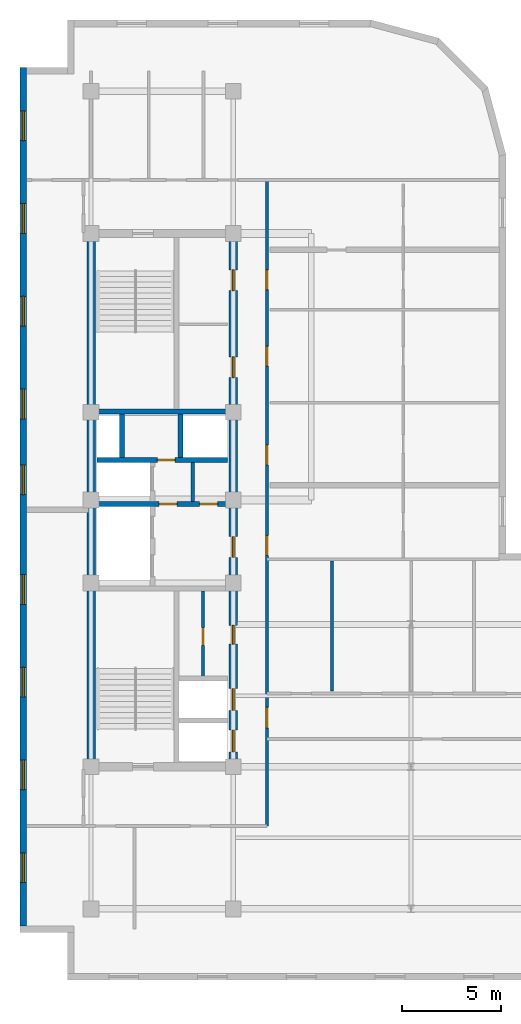
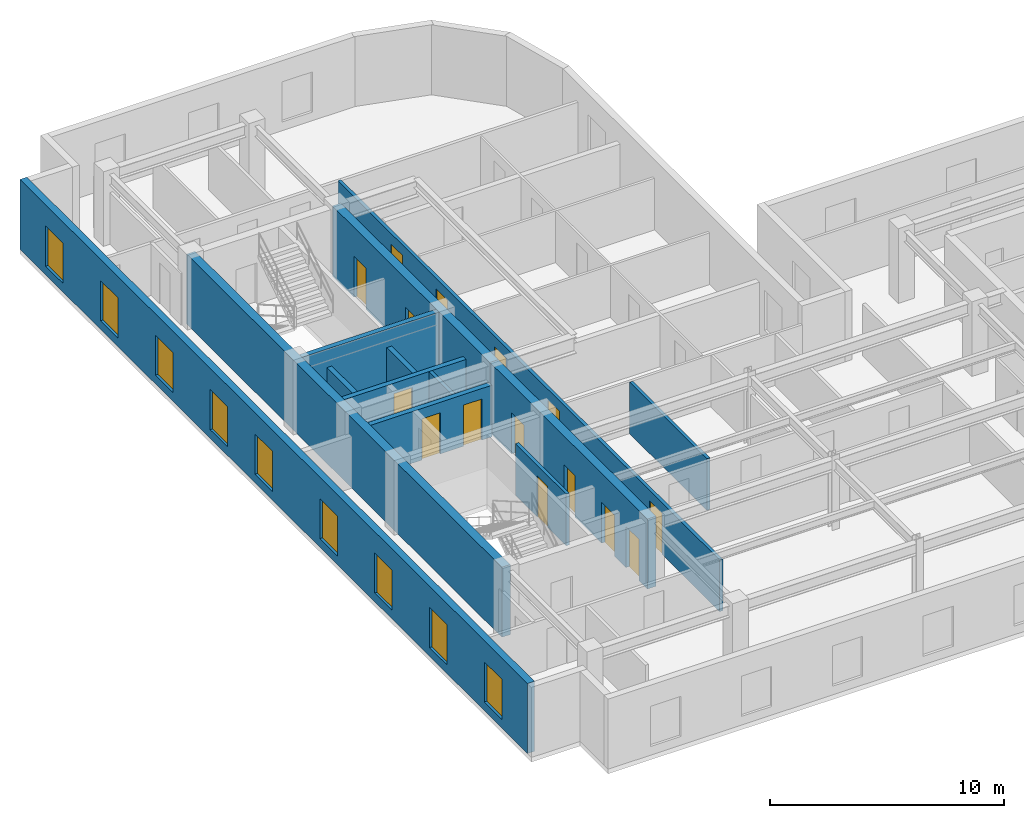
# One storey, part 4 of 10: 15 doors, 13 walls, 9 windows, 24 openings.
"""IFC4 building model written with IfcOpenShell, lengths in metres."""

from ifc_helpers import new_model, entity, si_unit, converted_unit, direction, frame, origin_with_axes, origin_2d_with_axis, place, context, subcontext, project, spatial, polyline, rectangle, outline, extrude, material, layer, layer_set, type_object, element, fill, save


model = new_model("IFC4")

# Units and contexts
model_context = context("Model", 3, precision=1e-05, world=origin_with_axes(), true_north=direction((0.0, 1.0)))
body_context = subcontext(model_context, "Body", "Model", "MODEL_VIEW")
ifc_project = project(units=[si_unit("LENGTHUNIT", "METRE"), si_unit("AREAUNIT", "SQUARE_METRE"), si_unit("VOLUMEUNIT", "CUBIC_METRE"), converted_unit("PLANEANGLEUNIT", "DEGREE", entity("IfcPlaneAngleMeasure", 0.017453292519943295), si_unit("PLANEANGLEUNIT", "RADIAN"), dimensions=[0, 0, 0, 0, 0, 0, 0]), si_unit("MASSUNIT", "GRAM", prefix="KILO"), si_unit("THERMODYNAMICTEMPERATUREUNIT", "KELVIN")], contexts=[model_context])

# Site, building, storey
site_placement = place(None, origin_with_axes())
site = spatial("IfcSite", under=ifc_project, at=site_placement, CompositionType="ELEMENT")
building_placement = place(site_placement, origin_with_axes())
building = spatial("IfcBuilding", under=site, at=building_placement, Name="Varnlund Millrace Tower", CompositionType="ELEMENT")
storey_placement = place(building_placement, frame((0.0, 0.0, 272.4), z_axis=(0.0, 0.0, 1.0), x_axis=(1.0, 0.0, 0.0)))
storey = spatial("IfcBuildingStorey", under=building, at=storey_placement, Name="L67", CompositionType="ELEMENT", Elevation=272.4)

# Wall
ifc_material_1 = material(Name="Concrete C60/75", Category="concrete")
ifc_layer_1 = layer(ifc_material_1, 0.42, Name="Concrete C60/75")
ifc_layer_set_1 = layer_set([ifc_layer_1], Name="Concrete C60/75")
wall_type_1 = type_object("IfcWallType", Name="Type-CoreWall-Shear-420-C60", PredefinedType="SHEAR", material=ifc_layer_set_1)
wall_1_placement = place(storey_placement, frame((11.4, 10.8, 0.0), z_axis=(0.0, 0.0, 1.0), x_axis=(0.0, 1.0, 0.0)))
element("IfcWall", 1, at=wall_1_placement, inside=storey, type_object=wall_type_1, Name="Type-CoreWall-Shear-420-C60", PredefinedType="SHEAR", context=body_context, shape_type="SweptSolid", body=[
    extrude(outline(polyline([(0.0, -0.21), (27.0, -0.21), (27.0, 0.21), (0.0, 0.21), (0.0, -0.21)])), origin_with_axes(), (0.0, 0.0, 1.0), 3.66),
])

# Wall, openings, doors
wall_2_placement = place(storey_placement, frame((18.6, 10.8, 0.0), z_axis=(0.0, 0.0, 1.0), x_axis=(0.0, 1.0, 0.0)))
wall_2 = element("IfcWall", 2, at=wall_2_placement, inside=storey, type_object=wall_type_1, Name="Type-CoreWall-Shear-420-C60", PredefinedType="SHEAR", context=body_context, shape_type="SweptSolid", body=[
    extrude(outline(polyline([(0.0, -0.21), (13.5, -0.21), (13.5, 0.21), (0.0, 0.21), (0.0, -0.21)])), origin_with_axes(), (0.0, 0.0, 1.0), 3.66),
])
opening_1_placement = place(wall_2_placement, frame((1.3, 0.0, 0.0), z_axis=(0.0, 0.0, 1.0), x_axis=(1.0, 0.0, 0.0)))
opening_1 = element("IfcOpeningElement", 3, at=opening_1_placement, cuts=wall_2, Name="Opening L67:LD-ELV-H1", PredefinedType="OPENING", context=body_context, shape_type="SweptSolid", body=[
    extrude(rectangle(XDim=1.1, YDim=0.44, at=origin_2d_with_axis()), origin_with_axes(), (0.0, 0.0, 1.0), 2.15),
])
opening_2_placement = place(wall_2_placement, frame((3.4, 0.0, 0.0), z_axis=(0.0, 0.0, 1.0), x_axis=(1.0, 0.0, 0.0)))
opening_2 = element("IfcOpeningElement", 4, at=opening_2_placement, cuts=wall_2, Name="Opening L67:LD-ELV-H2", PredefinedType="OPENING", context=body_context, shape_type="SweptSolid", body=[
    extrude(rectangle(XDim=1.1, YDim=0.44, at=origin_2d_with_axis()), origin_with_axes(), (0.0, 0.0, 1.0), 2.15),
])
opening_3_placement = place(wall_2_placement, frame((11.125, 0.0, 0.0), z_axis=(0.0, 0.0, 1.0), x_axis=(1.0, 0.0, 0.0)))
opening_3 = element("IfcOpeningElement", 5, at=opening_3_placement, cuts=wall_2, Name="Opening L67:DR-FFLOB-A", PredefinedType="OPENING", context=body_context, shape_type="SweptSolid", body=[
    extrude(rectangle(XDim=1.05, YDim=0.44, at=origin_2d_with_axis()), origin_with_axes(), (0.0, 0.0, 1.0), 2.15),
])
opening_4_placement = place(wall_2_placement, frame((6.675, 0.0, 0.0), z_axis=(0.0, 0.0, 1.0), x_axis=(1.0, 0.0, 0.0)))
opening_4 = element("IfcOpeningElement", 6, at=opening_4_placement, cuts=wall_2, Name="Opening L67:DR-RECL-S1B2", PredefinedType="OPENING", context=body_context, shape_type="SweptSolid", body=[
    extrude(rectangle(XDim=0.95, YDim=0.44, at=origin_2d_with_axis()), origin_with_axes(), (0.0, 0.0, 1.0), 2.15),
])
ifc_material_2 = material(Name="Smoke-barrier hollow steel fire door", Category="steel")
door_type_1 = type_object("IfcDoorType", Name="Type-FireDoor-Lobby-1050X2150", OperationType="NOTDEFINED", PredefinedType="DOOR", material=ifc_material_2)
door_1_placement = place(wall_2_placement, frame((11.125, 0.0, 0.0), z_axis=(0.0, 0.0, 1.0), x_axis=(1.0, 0.0, 0.0)))
door_1 = element("IfcDoor", 7, at=door_1_placement, inside=storey, type_object=door_type_1, Name="Type-FireDoor-Lobby-1050X2150", OperationType="SINGLE_SWING_LEFT", OverallHeight=2.15, OverallWidth=1.05, PredefinedType="DOOR", context=body_context, shape_type="SweptSolid", body=[
    extrude(rectangle(XDim=1.05, YDim=0.09, at=origin_2d_with_axis()), origin_with_axes(), (0.0, 0.0, 1.0), 2.15),
])
fill(opening_3, door_1)
ifc_material_3 = material(Name="Fire-rated hollow steel core service door", Category="steel")
door_type_2 = type_object("IfcDoorType", Name="Type-FireDoor-Service-950X2150", OperationType="NOTDEFINED", PredefinedType="DOOR", material=ifc_material_3)
door_2_placement = place(wall_2_placement, frame((6.675, 0.0, 0.0), z_axis=(0.0, 0.0, 1.0), x_axis=(1.0, 0.0, 0.0)))
door_2 = element("IfcDoor", 8, at=door_2_placement, inside=storey, type_object=door_type_2, Name="Type-FireDoor-Service-950X2150", OperationType="SINGLE_SWING_RIGHT", OverallHeight=2.15, OverallWidth=0.95, PredefinedType="DOOR", context=body_context, shape_type="SweptSolid", body=[
    extrude(rectangle(XDim=0.95, YDim=0.09, at=origin_2d_with_axis()), origin_with_axes(), (0.0, 0.0, 1.0), 2.15),
])
fill(opening_4, door_2)
ifc_material_4 = material(Name="Stainless and architectural bronze sliding landing door")
door_type_3 = type_object("IfcDoorType", Name="Type-LiftLandingDoor-1100X2150", OperationType="NOTDEFINED", PredefinedType="DOOR", material=ifc_material_4)
door_3_placement = place(wall_2_placement, frame((1.3, 0.0, 0.0), z_axis=(0.0, 0.0, 1.0), x_axis=(1.0, 0.0, 0.0)))
door_3 = element("IfcDoor", 9, at=door_3_placement, inside=storey, type_object=door_type_3, Name="Type-LiftLandingDoor-1100X2150", OperationType="SLIDING_TO_LEFT", OverallHeight=2.15, OverallWidth=1.1, PredefinedType="DOOR", context=body_context, shape_type="SweptSolid", body=[
    extrude(rectangle(XDim=1.1, YDim=0.09, at=origin_2d_with_axis()), origin_with_axes(), (0.0, 0.0, 1.0), 2.15),
])
fill(opening_1, door_3)
door_4_placement = place(wall_2_placement, frame((3.4, 0.0, 0.0), z_axis=(0.0, 0.0, 1.0), x_axis=(1.0, 0.0, 0.0)))
door_4 = element("IfcDoor", 10, at=door_4_placement, inside=storey, type_object=door_type_3, Name="Type-LiftLandingDoor-1100X2150", OperationType="SLIDING_TO_RIGHT", OverallHeight=2.15, OverallWidth=1.1, PredefinedType="DOOR", context=body_context, shape_type="SweptSolid", body=[
    extrude(rectangle(XDim=1.1, YDim=0.09, at=origin_2d_with_axis()), origin_with_axes(), (0.0, 0.0, 1.0), 2.15),
])
fill(opening_2, door_4)

wall_3_placement = place(storey_placement, frame((18.6, 24.3, 0.0), z_axis=(0.0, 0.0, 1.0), x_axis=(0.0, 1.0, 0.0)))
wall_3 = element("IfcWall", 11, at=wall_3_placement, inside=storey, type_object=wall_type_1, Name="Type-CoreWall-Shear-420-C60", PredefinedType="SHEAR", context=body_context, shape_type="SweptSolid", body=[
    extrude(outline(polyline([(0.0, -0.21), (13.5, -0.21), (13.5, 0.21), (0.0, 0.21), (0.0, -0.21)])), origin_with_axes(), (0.0, 0.0, 1.0), 3.66),
])
opening_5_placement = place(wall_3_placement, frame((6.725, 0.0, 0.0), z_axis=(0.0, 0.0, 1.0), x_axis=(1.0, 0.0, 0.0)))
opening_5 = element("IfcOpeningElement", 12, at=opening_5_placement, cuts=wall_3, Name="Opening L67:DR-RECL-M1", PredefinedType="OPENING", context=body_context, shape_type="SweptSolid", body=[
    extrude(rectangle(XDim=1.05, YDim=0.44, at=origin_2d_with_axis()), origin_with_axes(), (0.0, 0.0, 1.0), 2.15),
])
opening_6_placement = place(wall_3_placement, frame((11.125, 0.0, 0.0), z_axis=(0.0, 0.0, 1.0), x_axis=(1.0, 0.0, 0.0)))
opening_6 = element("IfcOpeningElement", 13, at=opening_6_placement, cuts=wall_3, Name="Opening L67:DR-RECL-M2", PredefinedType="OPENING", context=body_context, shape_type="SweptSolid", body=[
    extrude(rectangle(XDim=1.05, YDim=0.44, at=origin_2d_with_axis()), origin_with_axes(), (0.0, 0.0, 1.0), 2.15),
])
door_5_placement = place(wall_3_placement, frame((6.725, 0.0, 0.0), z_axis=(0.0, 0.0, 1.0), x_axis=(1.0, 0.0, 0.0)))
door_5 = element("IfcDoor", 14, at=door_5_placement, inside=storey, type_object=door_type_1, Name="Type-FireDoor-Lobby-1050X2150", OperationType="SINGLE_SWING_LEFT", OverallHeight=2.15, OverallWidth=1.05, PredefinedType="DOOR", context=body_context, shape_type="SweptSolid", body=[
    extrude(rectangle(XDim=1.05, YDim=0.09, at=origin_2d_with_axis()), origin_with_axes(), (0.0, 0.0, 1.0), 2.15),
])
fill(opening_5, door_5)
door_6_placement = place(wall_3_placement, frame((11.125, 0.0, 0.0), z_axis=(0.0, 0.0, 1.0), x_axis=(1.0, 0.0, 0.0)))
door_6 = element("IfcDoor", 15, at=door_6_placement, inside=storey, type_object=door_type_1, Name="Type-FireDoor-Lobby-1050X2150", OperationType="SINGLE_SWING_RIGHT", OverallHeight=2.15, OverallWidth=1.05, PredefinedType="DOOR", context=body_context, shape_type="SweptSolid", body=[
    extrude(rectangle(XDim=1.05, YDim=0.09, at=origin_2d_with_axis()), origin_with_axes(), (0.0, 0.0, 1.0), 2.15),
])
fill(opening_6, door_6)

# Wall, openings, windows
ifc_material_5 = material(Name="Precast concrete C50/60", Category="concrete")
ifc_layer_2 = layer(ifc_material_5, 0.34, Name="Precast concrete C50/60")
ifc_layer_set_2 = layer_set([ifc_layer_2], Name="Precast concrete C50/60")
wall_type_2 = type_object("IfcWallType", Name="Type-ExtWall-Precast-Upper-340", PredefinedType="SOLIDWALL", material=ifc_layer_set_2)
wall_4_placement = place(storey_placement, frame((7.97, 2.74, 0.0), z_axis=(0.0, 0.0, 1.0), x_axis=(0.0, 1.0, 0.0)))
wall_4 = element("IfcWall", 16, at=wall_4_placement, inside=storey, type_object=wall_type_2, Name="Type-ExtWall-Precast-Upper-340", PredefinedType="SOLIDWALL", context=body_context, shape_type="SweptSolid", body=[
    extrude(outline(polyline([(0.0, -0.17), (43.46, -0.17), (43.46, 0.17), (0.0, 0.17), (0.0, -0.17)])), origin_with_axes(), (0.0, 0.0, 1.0), 3.66),
])
opening_7_placement = place(wall_4_placement, frame((2.948, 0.0, 0.45), z_axis=(0.0, 0.0, 1.0), x_axis=(1.0, 0.0, 0.0)))
opening_7 = element("IfcOpeningElement", 17, at=opening_7_placement, cuts=wall_4, Name="Opening L67:WN-17", PredefinedType="OPENING", context=body_context, shape_type="SweptSolid", body=[
    extrude(rectangle(XDim=1.5, YDim=0.36, at=origin_2d_with_axis()), origin_with_axes(), (0.0, 0.0, 1.0), 2.1),
])
opening_8_placement = place(wall_4_placement, frame((7.643, 0.0, 0.45), z_axis=(0.0, 0.0, 1.0), x_axis=(1.0, 0.0, 0.0)))
opening_8 = element("IfcOpeningElement", 18, at=opening_8_placement, cuts=wall_4, Name="Opening L67:WN-18", PredefinedType="OPENING", context=body_context, shape_type="SweptSolid", body=[
    extrude(rectangle(XDim=1.5, YDim=0.36, at=origin_2d_with_axis()), origin_with_axes(), (0.0, 0.0, 1.0), 2.1),
])
opening_9_placement = place(wall_4_placement, frame((12.339, 0.0, 0.45), z_axis=(0.0, 0.0, 1.0), x_axis=(1.0, 0.0, 0.0)))
opening_9 = element("IfcOpeningElement", 19, at=opening_9_placement, cuts=wall_4, Name="Opening L67:WN-19", PredefinedType="OPENING", context=body_context, shape_type="SweptSolid", body=[
    extrude(rectangle(XDim=1.5, YDim=0.36, at=origin_2d_with_axis()), origin_with_axes(), (0.0, 0.0, 1.0), 2.1),
])
opening_10_placement = place(wall_4_placement, frame((17.034, 0.0, 0.45), z_axis=(0.0, 0.0, 1.0), x_axis=(1.0, 0.0, 0.0)))
opening_10 = element("IfcOpeningElement", 20, at=opening_10_placement, cuts=wall_4, Name="Opening L67:WN-20", PredefinedType="OPENING", context=body_context, shape_type="SweptSolid", body=[
    extrude(rectangle(XDim=1.5, YDim=0.36, at=origin_2d_with_axis()), origin_with_axes(), (0.0, 0.0, 1.0), 2.1),
])
opening_11_placement = place(wall_4_placement, frame((22.58, 0.0, 0.45), z_axis=(0.0, 0.0, 1.0), x_axis=(1.0, 0.0, 0.0)))
opening_11 = element("IfcOpeningElement", 21, at=opening_11_placement, cuts=wall_4, Name="Opening L67:WN-21", PredefinedType="OPENING", context=body_context, shape_type="SweptSolid", body=[
    extrude(rectangle(XDim=1.5, YDim=0.36, at=origin_2d_with_axis()), origin_with_axes(), (0.0, 0.0, 1.0), 2.1),
])
opening_12_placement = place(wall_4_placement, frame((26.426, 0.0, 0.45), z_axis=(0.0, 0.0, 1.0), x_axis=(1.0, 0.0, 0.0)))
opening_12 = element("IfcOpeningElement", 22, at=opening_12_placement, cuts=wall_4, Name="Opening L67:WN-22", PredefinedType="OPENING", context=body_context, shape_type="SweptSolid", body=[
    extrude(rectangle(XDim=1.5, YDim=0.36, at=origin_2d_with_axis()), origin_with_axes(), (0.0, 0.0, 1.0), 2.1),
])
opening_13_placement = place(wall_4_placement, frame((31.121, 0.0, 0.45), z_axis=(0.0, 0.0, 1.0), x_axis=(1.0, 0.0, 0.0)))
opening_13 = element("IfcOpeningElement", 23, at=opening_13_placement, cuts=wall_4, Name="Opening L67:WN-23", PredefinedType="OPENING", context=body_context, shape_type="SweptSolid", body=[
    extrude(rectangle(XDim=1.5, YDim=0.36, at=origin_2d_with_axis()), origin_with_axes(), (0.0, 0.0, 1.0), 2.1),
])
opening_14_placement = place(wall_4_placement, frame((35.817, 0.0, 0.45), z_axis=(0.0, 0.0, 1.0), x_axis=(1.0, 0.0, 0.0)))
opening_14 = element("IfcOpeningElement", 24, at=opening_14_placement, cuts=wall_4, Name="Opening L67:WN-24", PredefinedType="OPENING", context=body_context, shape_type="SweptSolid", body=[
    extrude(rectangle(XDim=1.5, YDim=0.36, at=origin_2d_with_axis()), origin_with_axes(), (0.0, 0.0, 1.0), 2.1),
])
opening_15_placement = place(wall_4_placement, frame((40.512, 0.0, 0.45), z_axis=(0.0, 0.0, 1.0), x_axis=(1.0, 0.0, 0.0)))
opening_15 = element("IfcOpeningElement", 25, at=opening_15_placement, cuts=wall_4, Name="Opening L67:WN-25", PredefinedType="OPENING", context=body_context, shape_type="SweptSolid", body=[
    extrude(rectangle(XDim=1.5, YDim=0.36, at=origin_2d_with_axis()), origin_with_axes(), (0.0, 0.0, 1.0), 2.1),
])
ifc_material_6 = material(Name="Argon low-e triple glazing in thermally broken bronze frame", Category="glass")
window_type = type_object("IfcWindowType", Name="Type-Window-Punched-1500X2100", PartitioningType="SINGLE_PANEL", PredefinedType="WINDOW", material=ifc_material_6)
window_1_placement = place(wall_4_placement, frame((2.948, 0.0, 0.45), z_axis=(0.0, 0.0, 1.0), x_axis=(1.0, 0.0, 0.0)))
window_1 = element("IfcWindow", 26, at=window_1_placement, inside=storey, type_object=window_type, Name="Type-Window-Punched-1500X2100", OverallHeight=2.1, OverallWidth=1.5, PredefinedType="WINDOW", context=body_context, shape_type="SweptSolid", body=[
    extrude(rectangle(XDim=1.5, YDim=0.09, at=origin_2d_with_axis()), origin_with_axes(), (0.0, 0.0, 1.0), 2.1),
])
fill(opening_7, window_1)
window_2_placement = place(wall_4_placement, frame((7.643, 0.0, 0.45), z_axis=(0.0, 0.0, 1.0), x_axis=(1.0, 0.0, 0.0)))
window_2 = element("IfcWindow", 27, at=window_2_placement, inside=storey, type_object=window_type, Name="Type-Window-Punched-1500X2100", OverallHeight=2.1, OverallWidth=1.5, PredefinedType="WINDOW", context=body_context, shape_type="SweptSolid", body=[
    extrude(rectangle(XDim=1.5, YDim=0.09, at=origin_2d_with_axis()), origin_with_axes(), (0.0, 0.0, 1.0), 2.1),
])
fill(opening_8, window_2)
window_3_placement = place(wall_4_placement, frame((12.339, 0.0, 0.45), z_axis=(0.0, 0.0, 1.0), x_axis=(1.0, 0.0, 0.0)))
window_3 = element("IfcWindow", 28, at=window_3_placement, inside=storey, type_object=window_type, Name="Type-Window-Punched-1500X2100", OverallHeight=2.1, OverallWidth=1.5, PredefinedType="WINDOW", context=body_context, shape_type="SweptSolid", body=[
    extrude(rectangle(XDim=1.5, YDim=0.09, at=origin_2d_with_axis()), origin_with_axes(), (0.0, 0.0, 1.0), 2.1),
])
fill(opening_9, window_3)
window_4_placement = place(wall_4_placement, frame((17.034, 0.0, 0.45), z_axis=(0.0, 0.0, 1.0), x_axis=(1.0, 0.0, 0.0)))
window_4 = element("IfcWindow", 29, at=window_4_placement, inside=storey, type_object=window_type, Name="Type-Window-Punched-1500X2100", OverallHeight=2.1, OverallWidth=1.5, PredefinedType="WINDOW", context=body_context, shape_type="SweptSolid", body=[
    extrude(rectangle(XDim=1.5, YDim=0.09, at=origin_2d_with_axis()), origin_with_axes(), (0.0, 0.0, 1.0), 2.1),
])
fill(opening_10, window_4)
window_5_placement = place(wall_4_placement, frame((22.58, 0.0, 0.45), z_axis=(0.0, 0.0, 1.0), x_axis=(1.0, 0.0, 0.0)))
window_5 = element("IfcWindow", 30, at=window_5_placement, inside=storey, type_object=window_type, Name="Type-Window-Punched-1500X2100", OverallHeight=2.1, OverallWidth=1.5, PredefinedType="WINDOW", context=body_context, shape_type="SweptSolid", body=[
    extrude(rectangle(XDim=1.5, YDim=0.09, at=origin_2d_with_axis()), origin_with_axes(), (0.0, 0.0, 1.0), 2.1),
])
fill(opening_11, window_5)
window_6_placement = place(wall_4_placement, frame((26.426, 0.0, 0.45), z_axis=(0.0, 0.0, 1.0), x_axis=(1.0, 0.0, 0.0)))
window_6 = element("IfcWindow", 31, at=window_6_placement, inside=storey, type_object=window_type, Name="Type-Window-Punched-1500X2100", OverallHeight=2.1, OverallWidth=1.5, PredefinedType="WINDOW", context=body_context, shape_type="SweptSolid", body=[
    extrude(rectangle(XDim=1.5, YDim=0.09, at=origin_2d_with_axis()), origin_with_axes(), (0.0, 0.0, 1.0), 2.1),
])
fill(opening_12, window_6)
window_7_placement = place(wall_4_placement, frame((31.121, 0.0, 0.45), z_axis=(0.0, 0.0, 1.0), x_axis=(1.0, 0.0, 0.0)))
window_7 = element("IfcWindow", 32, at=window_7_placement, inside=storey, type_object=window_type, Name="Type-Window-Punched-1500X2100", OverallHeight=2.1, OverallWidth=1.5, PredefinedType="WINDOW", context=body_context, shape_type="SweptSolid", body=[
    extrude(rectangle(XDim=1.5, YDim=0.09, at=origin_2d_with_axis()), origin_with_axes(), (0.0, 0.0, 1.0), 2.1),
])
fill(opening_13, window_7)
window_8_placement = place(wall_4_placement, frame((35.817, 0.0, 0.45), z_axis=(0.0, 0.0, 1.0), x_axis=(1.0, 0.0, 0.0)))
window_8 = element("IfcWindow", 33, at=window_8_placement, inside=storey, type_object=window_type, Name="Type-Window-Punched-1500X2100", OverallHeight=2.1, OverallWidth=1.5, PredefinedType="WINDOW", context=body_context, shape_type="SweptSolid", body=[
    extrude(rectangle(XDim=1.5, YDim=0.09, at=origin_2d_with_axis()), origin_with_axes(), (0.0, 0.0, 1.0), 2.1),
])
fill(opening_14, window_8)
window_9_placement = place(wall_4_placement, frame((40.512, 0.0, 0.45), z_axis=(0.0, 0.0, 1.0), x_axis=(1.0, 0.0, 0.0)))
window_9 = element("IfcWindow", 34, at=window_9_placement, inside=storey, type_object=window_type, Name="Type-Window-Punched-1500X2100", OverallHeight=2.1, OverallWidth=1.5, PredefinedType="WINDOW", context=body_context, shape_type="SweptSolid", body=[
    extrude(rectangle(XDim=1.5, YDim=0.09, at=origin_2d_with_axis()), origin_with_axes(), (0.0, 0.0, 1.0), 2.1),
])
fill(opening_15, window_9)

# Wall
ifc_material_7 = material(Name="Fire-rated gypsum board on cold-formed steel framing", Category="steel")
ifc_layer_3 = layer(ifc_material_7, 0.16, Name="Fire-rated gypsum board on cold-formed steel framing")
ifc_layer_set_3 = layer_set([ifc_layer_3], Name="Fire-rated gypsum board on cold-formed steel framing")
wall_type_3 = type_object("IfcWallType", Name="Type-Partition-Corridor-160", PredefinedType="PARTITIONING", material=ifc_layer_set_3)
wall_5_placement = place(storey_placement, frame((16.55, 24.22, 0.0), z_axis=(0.0, 0.0, 1.0), x_axis=(0.0, 1.0, 0.0)))
element("IfcWall", 35, at=wall_5_placement, inside=storey, type_object=wall_type_3, Name="Type-Partition-Corridor-160", PredefinedType="PARTITIONING", context=body_context, shape_type="SweptSolid", body=[
    extrude(outline(polyline([(0.0, -0.08), (1.98, -0.08), (1.98, 0.08), (0.0, 0.08), (0.0, -0.08)])), origin_with_axes(), (0.0, 0.0, 1.0), 2.7),
])

# Wall, opening, door
wall_6_placement = place(storey_placement, frame((17.07, 15.34, 0.0), z_axis=(0.0, 0.0, 1.0), x_axis=(0.0, 1.0, 0.0)))
wall_6 = element("IfcWall", 36, at=wall_6_placement, inside=storey, type_object=wall_type_3, Name="Type-Partition-Corridor-160", PredefinedType="PARTITIONING", context=body_context, shape_type="SweptSolid", body=[
    extrude(outline(polyline([(0.0, -0.08), (4.36, -0.08), (4.36, 0.08), (0.0, 0.08), (0.0, -0.08)])), origin_with_axes(), (0.0, 0.0, 1.0), 2.7),
])
opening_16_placement = place(wall_6_placement, frame((2.05, 0.0, 0.0), z_axis=(0.0, 0.0, 1.0), x_axis=(1.0, 0.0, 0.0)))
opening_16 = element("IfcOpeningElement", 37, at=opening_16_placement, cuts=wall_6, Name="Opening L67:DR-RECL-S1B1", PredefinedType="OPENING", context=body_context, shape_type="SweptSolid", body=[
    extrude(rectangle(XDim=0.9, YDim=0.18, at=origin_2d_with_axis()), origin_with_axes(), (0.0, 0.0, 1.0), 2.15),
])
ifc_material_8 = material(Name="Painted steel riser and closet door", Category="steel")
door_type_4 = type_object("IfcDoorType", Name="Type-IntDoor-Closet-900X2150", OperationType="NOTDEFINED", PredefinedType="DOOR", material=ifc_material_8)
door_7_placement = place(wall_6_placement, frame((2.05, 0.0, 0.0), z_axis=(0.0, 0.0, 1.0), x_axis=(1.0, 0.0, 0.0)))
door_7 = element("IfcDoor", 38, at=door_7_placement, inside=storey, type_object=door_type_4, Name="Type-IntDoor-Closet-900X2150", OperationType="SINGLE_SWING_LEFT", OverallHeight=2.15, OverallWidth=0.9, PredefinedType="DOOR", context=body_context, shape_type="SweptSolid", body=[
    extrude(rectangle(XDim=0.9, YDim=0.09, at=origin_2d_with_axis()), origin_with_axes(), (0.0, 0.0, 1.0), 2.15),
])
fill(opening_16, door_7)

# Wall, openings, doors
wall_7_placement = place(storey_placement, frame((20.3, 7.8, 0.0), z_axis=(0.0, 0.0, 1.0), x_axis=(0.0, 1.0, 0.0)))
wall_7 = element("IfcWall", 39, at=wall_7_placement, inside=storey, type_object=wall_type_3, Name="Type-Partition-Corridor-160", PredefinedType="PARTITIONING", context=body_context, shape_type="SweptSolid", body=[
    extrude(outline(polyline([(0.0, -0.08), (32.7, -0.08), (32.7, 0.08), (0.0, 0.08), (0.0, -0.08)])), origin_with_axes(), (0.0, 0.0, 1.0), 2.7),
])
opening_17_placement = place(wall_7_placement, frame((14.2, 0.0, 0.0), z_axis=(0.0, 0.0, 1.0), x_axis=(1.0, 0.0, 0.0)))
opening_17 = element("IfcOpeningElement", 40, at=opening_17_placement, cuts=wall_7, Name="Opening L67:DR-FLR-01", PredefinedType="OPENING", context=body_context, shape_type="SweptSolid", body=[
    extrude(rectangle(XDim=1.0, YDim=0.18, at=origin_2d_with_axis()), origin_with_axes(), (0.0, 0.0, 1.0), 2.15),
])
opening_18_placement = place(wall_7_placement, frame((18.779, 0.0, 0.0), z_axis=(0.0, 0.0, 1.0), x_axis=(1.0, 0.0, 0.0)))
opening_18 = element("IfcOpeningElement", 41, at=opening_18_placement, cuts=wall_7, Name="Opening L67:DR-FLR-02", PredefinedType="OPENING", context=body_context, shape_type="SweptSolid", body=[
    extrude(rectangle(XDim=1.0, YDim=0.18, at=origin_2d_with_axis()), origin_with_axes(), (0.0, 0.0, 1.0), 2.15),
])
opening_19_placement = place(wall_7_placement, frame((23.7835, 0.0, 0.0), z_axis=(0.0, 0.0, 1.0), x_axis=(1.0, 0.0, 0.0)))
opening_19 = element("IfcOpeningElement", 42, at=opening_19_placement, cuts=wall_7, Name="Opening L67:DR-FLR-03", PredefinedType="OPENING", context=body_context, shape_type="SweptSolid", body=[
    extrude(rectangle(XDim=1.0, YDim=0.18, at=origin_2d_with_axis()), origin_with_axes(), (0.0, 0.0, 1.0), 2.15),
])
opening_20_placement = place(wall_7_placement, frame((27.6515, 0.0, 0.0), z_axis=(0.0, 0.0, 1.0), x_axis=(1.0, 0.0, 0.0)))
opening_20 = element("IfcOpeningElement", 43, at=opening_20_placement, cuts=wall_7, Name="Opening L67:DR-FLR-04", PredefinedType="OPENING", context=body_context, shape_type="SweptSolid", body=[
    extrude(rectangle(XDim=1.0, YDim=0.18, at=origin_2d_with_axis()), origin_with_axes(), (0.0, 0.0, 1.0), 2.15),
])
opening_21_placement = place(wall_7_placement, frame((5.475, 0.0, 0.0), z_axis=(0.0, 0.0, 1.0), x_axis=(1.0, 0.0, 0.0)))
opening_21 = element("IfcOpeningElement", 44, at=opening_21_placement, cuts=wall_7, Name="Opening L67:DR-KN-W", PredefinedType="OPENING", context=body_context, shape_type="SweptSolid", body=[
    extrude(rectangle(XDim=1.05, YDim=0.18, at=origin_2d_with_axis()), origin_with_axes(), (0.0, 0.0, 1.0), 2.15),
])
door_8_placement = place(wall_7_placement, frame((5.475, 0.0, 0.0), z_axis=(0.0, 0.0, 1.0), x_axis=(1.0, 0.0, 0.0)))
door_8 = element("IfcDoor", 45, at=door_8_placement, inside=storey, type_object=door_type_1, Name="Type-FireDoor-Lobby-1050X2150", OperationType="SINGLE_SWING_LEFT", OverallHeight=2.15, OverallWidth=1.05, PredefinedType="DOOR", context=body_context, shape_type="SweptSolid", body=[
    extrude(rectangle(XDim=1.05, YDim=0.09, at=origin_2d_with_axis()), origin_with_axes(), (0.0, 0.0, 1.0), 2.15),
])
fill(opening_21, door_8)
ifc_material_9 = material(Name="Solid-core white oak and bronze frame door")
door_type_5 = type_object("IfcDoorType", Name="Type-IntDoor-Office-1000X2150", OperationType="NOTDEFINED", PredefinedType="DOOR", material=ifc_material_9)
door_9_placement = place(wall_7_placement, frame((14.2, 0.0, 0.0), z_axis=(0.0, 0.0, 1.0), x_axis=(1.0, 0.0, 0.0)))
door_9 = element("IfcDoor", 46, at=door_9_placement, inside=storey, type_object=door_type_5, Name="Type-IntDoor-Office-1000X2150", OperationType="SINGLE_SWING_LEFT", OverallHeight=2.15, OverallWidth=1.0, PredefinedType="DOOR", context=body_context, shape_type="SweptSolid", body=[
    extrude(rectangle(XDim=1.0, YDim=0.09, at=origin_2d_with_axis()), origin_with_axes(), (0.0, 0.0, 1.0), 2.15),
])
fill(opening_17, door_9)
door_10_placement = place(wall_7_placement, frame((18.779, 0.0, 0.0), z_axis=(0.0, 0.0, 1.0), x_axis=(1.0, 0.0, 0.0)))
door_10 = element("IfcDoor", 47, at=door_10_placement, inside=storey, type_object=door_type_5, Name="Type-IntDoor-Office-1000X2150", OperationType="SINGLE_SWING_RIGHT", OverallHeight=2.15, OverallWidth=1.0, PredefinedType="DOOR", context=body_context, shape_type="SweptSolid", body=[
    extrude(rectangle(XDim=1.0, YDim=0.09, at=origin_2d_with_axis()), origin_with_axes(), (0.0, 0.0, 1.0), 2.15),
])
fill(opening_18, door_10)
door_11_placement = place(wall_7_placement, frame((23.7835, 0.0, 0.0), z_axis=(0.0, 0.0, 1.0), x_axis=(1.0, 0.0, 0.0)))
door_11 = element("IfcDoor", 48, at=door_11_placement, inside=storey, type_object=door_type_5, Name="Type-IntDoor-Office-1000X2150", OperationType="SINGLE_SWING_LEFT", OverallHeight=2.15, OverallWidth=1.0, PredefinedType="DOOR", context=body_context, shape_type="SweptSolid", body=[
    extrude(rectangle(XDim=1.0, YDim=0.09, at=origin_2d_with_axis()), origin_with_axes(), (0.0, 0.0, 1.0), 2.15),
])
fill(opening_19, door_11)
door_12_placement = place(wall_7_placement, frame((27.6515, 0.0, 0.0), z_axis=(0.0, 0.0, 1.0), x_axis=(1.0, 0.0, 0.0)))
door_12 = element("IfcDoor", 49, at=door_12_placement, inside=storey, type_object=door_type_5, Name="Type-IntDoor-Office-1000X2150", OperationType="SINGLE_SWING_RIGHT", OverallHeight=2.15, OverallWidth=1.0, PredefinedType="DOOR", context=body_context, shape_type="SweptSolid", body=[
    extrude(rectangle(XDim=1.0, YDim=0.09, at=origin_2d_with_axis()), origin_with_axes(), (0.0, 0.0, 1.0), 2.15),
])
fill(opening_20, door_12)

# Wall
ifc_material_10 = material(Name="Acoustic STC-50 gypsum board partition", Category="gypsum")
ifc_layer_4 = layer(ifc_material_10, 0.15, Name="Acoustic STC-50 gypsum board partition")
ifc_layer_set_4 = layer_set([ifc_layer_4], Name="Acoustic STC-50 gypsum board partition")
wall_type_4 = type_object("IfcWallType", Name="Type-Partition-Demising-150", PredefinedType="PARTITIONING", material=ifc_layer_set_4)
wall_8_placement = place(storey_placement, frame((23.598, 14.62, 0.0), z_axis=(0.0, 0.0, 1.0), x_axis=(0.0, 1.0, 0.0)))
element("IfcWall", 50, at=wall_8_placement, inside=storey, type_object=wall_type_4, Name="Type-Partition-Demising-150", PredefinedType="PARTITIONING", context=body_context, shape_type="SweptSolid", body=[
    extrude(outline(polyline([(0.0, -0.075), (6.6, -0.075), (6.6, 0.075), (0.0, 0.075), (0.0, -0.075)])), origin_with_axes(), (0.0, 0.0, 1.0), 2.7),
])

# Wall, openings, doors
ifc_layer_5 = layer(ifc_material_1, 0.25, Name="Concrete C60/75")
ifc_layer_set_5 = layer_set([ifc_layer_5], Name="Concrete C60/75")
wall_type_5 = type_object("IfcWallType", Name="Type-ShaftWall-Fire-250", PredefinedType="SOLIDWALL", material=ifc_layer_set_5)
wall_9_placement = place(storey_placement, frame((11.7, 24.1, 0.0), z_axis=(0.0, 0.0, 1.0), x_axis=(1.0, 0.0, 0.0)))
wall_9 = element("IfcWall", 51, at=wall_9_placement, inside=storey, type_object=wall_type_5, Name="Type-ShaftWall-Fire-250", PredefinedType="SOLIDWALL", context=body_context, shape_type="SweptSolid", body=[
    extrude(outline(polyline([(0.0, -0.125), (6.6, -0.125), (6.6, 0.125), (0.0, 0.125), (0.0, -0.125)])), origin_with_axes(), (0.0, 0.0, 1.0), 2.7),
])
opening_22_placement = place(wall_9_placement, frame((3.6, 0.0, 0.0), z_axis=(0.0, 0.0, 1.0), x_axis=(1.0, 0.0, 0.0)))
opening_22 = element("IfcOpeningElement", 52, at=opening_22_placement, cuts=wall_9, Name="Opening L67:DR-CA-SUB1", PredefinedType="OPENING", context=body_context, shape_type="SweptSolid", body=[
    extrude(rectangle(XDim=0.9, YDim=0.27, at=origin_2d_with_axis()), origin_with_axes(), (0.0, 0.0, 1.0), 2.15),
])
opening_23_placement = place(wall_9_placement, frame((5.65, 0.0, 0.0), z_axis=(0.0, 0.0, 1.0), x_axis=(1.0, 0.0, 0.0)))
opening_23 = element("IfcOpeningElement", 53, at=opening_23_placement, cuts=wall_9, Name="Opening L67:DR-CA-SUB2", PredefinedType="OPENING", context=body_context, shape_type="SweptSolid", body=[
    extrude(rectangle(XDim=0.9, YDim=0.27, at=origin_2d_with_axis()), origin_with_axes(), (0.0, 0.0, 1.0), 2.15),
])
ifc_material_11 = material(Name="Fire-rated hollow steel service closet door", Category="steel")
door_type_6 = type_object("IfcDoorType", Name="Type-FireDoor-Closet-900X2150", OperationType="NOTDEFINED", PredefinedType="DOOR", material=ifc_material_11)
door_13_placement = place(wall_9_placement, frame((3.6, 0.0, 0.0), z_axis=(0.0, 0.0, 1.0), x_axis=(1.0, 0.0, 0.0)))
door_13 = element("IfcDoor", 54, at=door_13_placement, inside=storey, type_object=door_type_6, Name="Type-FireDoor-Closet-900X2150", OperationType="SINGLE_SWING_LEFT", OverallHeight=2.15, OverallWidth=0.9, PredefinedType="DOOR", context=body_context, shape_type="SweptSolid", body=[
    extrude(rectangle(XDim=0.9, YDim=0.09, at=origin_2d_with_axis()), origin_with_axes(), (0.0, 0.0, 1.0), 2.15),
])
fill(opening_22, door_13)
door_14_placement = place(wall_9_placement, frame((5.65, 0.0, 0.0), z_axis=(0.0, 0.0, 1.0), x_axis=(1.0, 0.0, 0.0)))
door_14 = element("IfcDoor", 55, at=door_14_placement, inside=storey, type_object=door_type_6, Name="Type-FireDoor-Closet-900X2150", OperationType="SINGLE_SWING_LEFT", OverallHeight=2.15, OverallWidth=0.9, PredefinedType="DOOR", context=body_context, shape_type="SweptSolid", body=[
    extrude(rectangle(XDim=0.9, YDim=0.09, at=origin_2d_with_axis()), origin_with_axes(), (0.0, 0.0, 1.0), 2.15),
])
fill(opening_23, door_14)

# Wall, opening, door
wall_10_placement = place(storey_placement, frame((11.7, 26.325, 0.0), z_axis=(0.0, 0.0, 1.0), x_axis=(1.0, 0.0, 0.0)))
wall_10 = element("IfcWall", 56, at=wall_10_placement, inside=storey, type_object=wall_type_5, Name="Type-ShaftWall-Fire-250", PredefinedType="SOLIDWALL", context=body_context, shape_type="SweptSolid", body=[
    extrude(outline(polyline([(0.0, -0.125), (6.6, -0.125), (6.6, 0.125), (0.0, 0.125), (0.0, -0.125)])), origin_with_axes(), (0.0, 0.0, 1.0), 2.7),
])
opening_24_placement = place(wall_10_placement, frame((3.5, 0.0, 0.0), z_axis=(0.0, 0.0, 1.0), x_axis=(1.0, 0.0, 0.0)))
opening_24 = element("IfcOpeningElement", 57, at=opening_24_placement, cuts=wall_10, Name="Opening L67:DR-CA-ELC", PredefinedType="OPENING", context=body_context, shape_type="SweptSolid", body=[
    extrude(rectangle(XDim=0.9, YDim=0.27, at=origin_2d_with_axis()), origin_with_axes(), (0.0, 0.0, 1.0), 2.15),
])
door_15_placement = place(wall_10_placement, frame((3.5, 0.0, 0.0), z_axis=(0.0, 0.0, 1.0), x_axis=(1.0, 0.0, 0.0)))
door_15 = element("IfcDoor", 58, at=door_15_placement, inside=storey, type_object=door_type_6, Name="Type-FireDoor-Closet-900X2150", OperationType="SINGLE_SWING_LEFT", OverallHeight=2.15, OverallWidth=0.9, PredefinedType="DOOR", context=body_context, shape_type="SweptSolid", body=[
    extrude(rectangle(XDim=0.9, YDim=0.09, at=origin_2d_with_axis()), origin_with_axes(), (0.0, 0.0, 1.0), 2.15),
])
fill(opening_24, door_15)

# Walls
for number, where, z_axis, x_axis, name in (
    (59, (12.96, 26.45, 0.0), (0.0, 0.0, 1.0), (0.0, 1.0, 0.0), "Type-ShaftWall-Fire-250"),
    (60, (15.925, 26.45, 0.0), (0.0, 0.0, 1.0), (0.0, 1.0, 0.0), "Type-ShaftWall-Fire-250"),
):
    element("IfcWall", number, at=place(storey_placement, frame(where, z_axis=z_axis, x_axis=x_axis)), inside=storey, type_object=wall_type_5, Name=name, PredefinedType="SOLIDWALL", context=body_context, shape_type="SweptSolid", body=[
        extrude(outline(polyline([(0.0, -0.125), (2.2, -0.125), (2.2, 0.125), (0.0, 0.125), (0.0, -0.125)])), origin_with_axes(), (0.0, 0.0, 1.0), 2.7),
    ])
wall_type_6 = type_object("IfcWallType", Name="Type-StairWall-Shear-250", PredefinedType="SHEAR", material=ifc_layer_set_5)
wall_11_placement = place(storey_placement, frame((11.61, 28.775, 0.0), z_axis=(0.0, 0.0, 1.0), x_axis=(1.0, 0.0, 0.0)))
element("IfcWall", 61, at=wall_11_placement, inside=storey, type_object=wall_type_6, Name="Type-StairWall-Shear-250", PredefinedType="SHEAR", context=body_context, shape_type="SweptSolid", body=[
    extrude(outline(polyline([(0.0, -0.125), (6.78, -0.125), (6.78, 0.125), (0.0, 0.125), (0.0, -0.125)])), origin_with_axes(), (0.0, 0.0, 1.0), 3.66),
])

save(model, "model.ifc")
